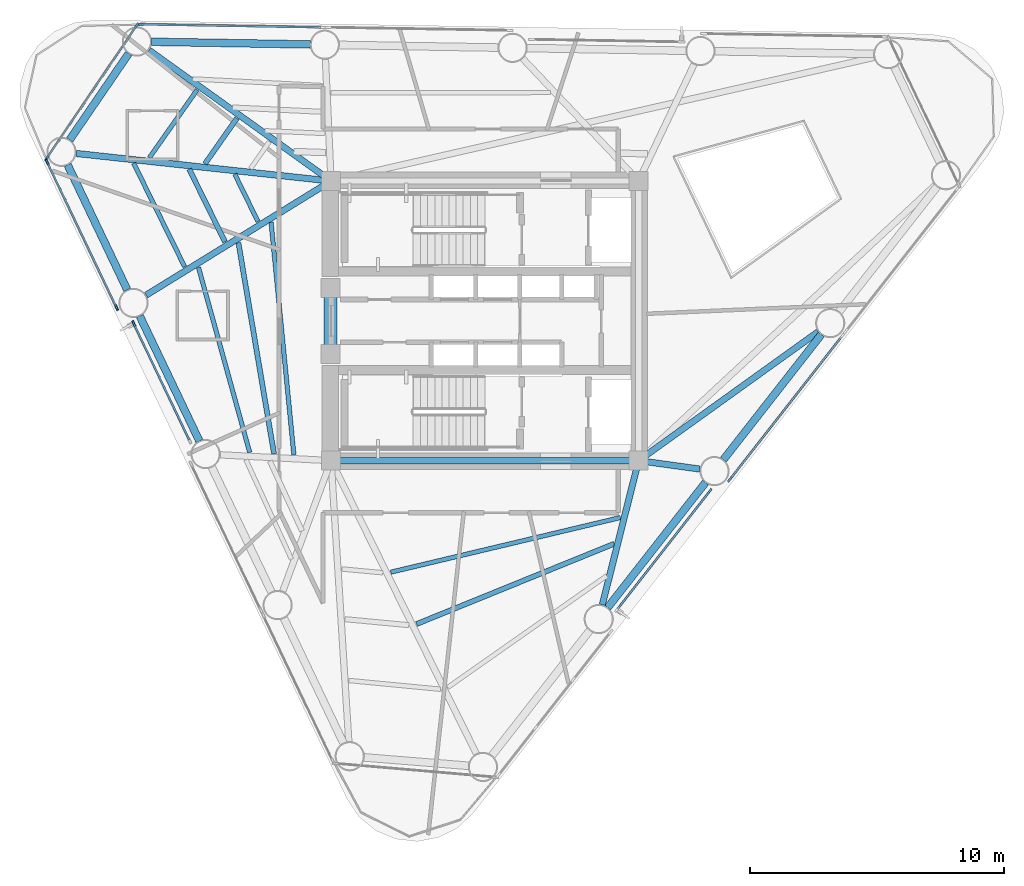
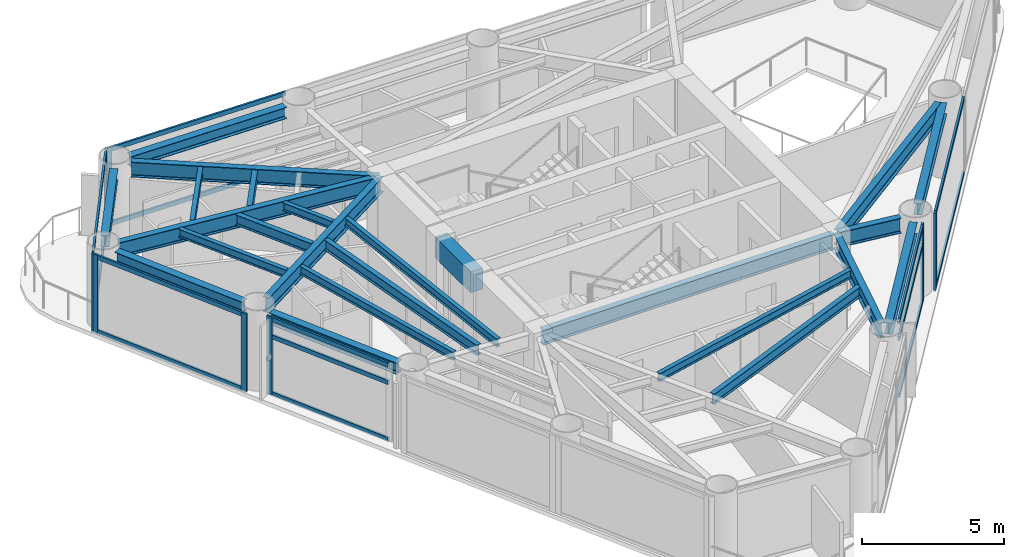
# One storey, part 2 of 9: 24 beams, 22 members, 6 elements without a shape of their own.
"""IFC4 building model written with IfcOpenShell, lengths in metres."""

from ifc_helpers import new_model, si_unit, direction, frame, origin, origin_2d, place, context, subcontext, project, spatial, rectangle, i_section, extrude, source, transform, mapped, material, layer, layer_set, material_profile, profile_set, type_object, element, aggregate, save


model = new_model("IFC4")

# Units and contexts
model_context = context("Model", 3, precision=1e-05, world=origin(), true_north=direction((0.0, 1.0)))
body_context = subcontext(model_context, "Body", "Model", "MODEL_VIEW")
ifc_project = project(units=[si_unit("LENGTHUNIT", "METRE"), si_unit("AREAUNIT", "SQUARE_METRE"), si_unit("VOLUMEUNIT", "CUBIC_METRE"), si_unit("PLANEANGLEUNIT", "RADIAN"), si_unit("MASSUNIT", "GRAM", prefix="KILO")], contexts=[model_context])

# Site, building, storey
site_placement = place(None, origin())
site = spatial("IfcSite", under=ifc_project, at=site_placement, CompositionType="ELEMENT")
building_placement = place(site_placement, origin())
building = spatial("IfcBuilding", under=site, at=building_placement, Name="Yunling Apex Tower", CompositionType="ELEMENT")
storey_placement = place(building_placement, frame((0.0, 0.0, 205.25)))
storey = spatial("IfcBuildingStorey", under=building, at=storey_placement, Name="L50", CompositionType="ELEMENT", Elevation=205.25)

# Beams
ifc_material_1 = material(Name="Concrete C50", Category="concrete")
ifc_material_profile_1 = material_profile(ifc_material_1, rectangle(XDim=0.5, YDim=0.89990234375, at=origin_2d()))
ifc_profile_set_1 = profile_set([ifc_material_profile_1], Name="Concrete C50")
beam_type_1 = type_object("IfcBeamType", Name="BC-CPL-2", PredefinedType="BEAM", material=ifc_profile_set_1)
shared_shape_1 = source(origin(), body_context, "Body", "SweptSolid", [
    extrude(rectangle(XDim=0.5, YDim=0.89990234375, at=origin_2d()), origin(), (0.0, 0.0, 1.0), 2.5),
])
beam_1_placement = place(storey_placement, frame((-6.074951171875, -1.25, 2.820068359375), z_axis=(0.0, 1.0, 0.0), x_axis=(-1.0, 0.0, 0.0)))
element("IfcBeam", 1, at=beam_1_placement, inside=storey, type_object=beam_type_1, Name="L50 Core West Portal Coupling Beam", PredefinedType="BEAM", context=body_context, shape_type="MappedRepresentation", body=[
    mapped(shared_shape_1, transform((0.0, 0.0, 0.0), scale=1.0)),
])
ifc_material_2 = material(Name="Steel Q355B", Category="steel")
ifc_material_profile_2 = material_profile(ifc_material_2, i_section(OverallWidth=0.25, OverallDepth=0.64990234375, WebThickness=0.011962890625, FlangeThickness=0.02001953125, FilletRadius=0.02392578125, at=origin_2d()))
ifc_profile_set_2 = profile_set([ifc_material_profile_2], Name="Steel Q355B")
beam_type_2 = type_object("IfcBeamType", Name="BG-PRI-4", PredefinedType="USERDEFINED", material=ifc_profile_set_2)
shared_shape_2 = source(origin(), body_context, "Body", "SweptSolid", [
    extrude(i_section(OverallWidth=0.25, OverallDepth=0.64990234375, WebThickness=0.011962890625, FlangeThickness=0.02001953125, FilletRadius=0.02392578125, at=origin_2d()), origin(), (0.0, 0.0, 1.0), 11.7998046875),
])
beam_2_placement = place(storey_placement, frame((-5.89990234375, -5.5, 2.945068359375), z_axis=(1.0, 0.0, 0.0), x_axis=(0.0, 1.0, 0.0)))
element("IfcBeam", 2, at=beam_2_placement, inside=storey, type_object=beam_type_2, Name="L50 Core Ring Tie Beam 1", ObjectType="GIRDER", PredefinedType="USERDEFINED", context=body_context, shape_type="MappedRepresentation", body=[
    mapped(shared_shape_2, transform((0.0, 0.0, 0.0), scale=1.0)),
])
ifc_material_profile_3 = material_profile(ifc_material_2, i_section(OverallWidth=0.300048828125, OverallDepth=0.489990234375, WebThickness=0.010986328125, FlangeThickness=0.01806640625, FilletRadius=0.02197265625, at=origin_2d()))
ifc_profile_set_3 = profile_set([ifc_material_profile_3], Name="Steel Q355B")
beam_type_3 = type_object("IfcBeamType", Name="BP-SPN-2", PredefinedType="SPANDREL", material=ifc_profile_set_3)
shared_shape_3 = source(origin(), body_context, "Body", "SweptSolid", [
    extrude(i_section(OverallWidth=0.300048828125, OverallDepth=0.489990234375, WebThickness=0.010986328125, FlangeThickness=0.01806640625, FilletRadius=0.02197265625, at=origin_2d()), origin(), (0.0, 0.0, 1.0), 6.253173828125),
])
for number, where, z_axis, x_axis, name in (
    (3, (4.831298828125, -11.2841796875, 3.02490234375), (0.61621666878, 0.787576673803, 0.0), (-0.787576673803, 0.61621666878, 0.0), "L50 Perimeter Spandrel Beam 2"),
    (4, (9.3857421875, -5.463134765625, 3.02490234375), (0.61621666878, 0.787576673803, 0.0), (-0.787576673803, 0.61621666878, 0.0), "L50 Perimeter Spandrel Beam 3"),
    (5, (-6.86669921875, 10.875, 3.02490234375), (-0.999859061432, 0.016788605428, 0.0), (-0.016788605428, -0.999859061432, 0.0), "L50 Perimeter Spandrel Beam 9"),
):
    element("IfcBeam", number, at=place(storey_placement, frame(where, z_axis=z_axis, x_axis=x_axis)), inside=storey, type_object=beam_type_3, Name=name, PredefinedType="SPANDREL", context=body_context, shape_type="MappedRepresentation", body=[
        mapped(shared_shape_3, transform((0.0, 0.0, 0.0), scale=1.0)),
    ])
shared_shape_4 = source(origin(), body_context, "Body", "SweptSolid", [
    extrude(i_section(OverallWidth=0.300048828125, OverallDepth=0.489990234375, WebThickness=0.010986328125, FlangeThickness=0.01806640625, FilletRadius=0.02197265625, at=origin_2d()), origin(), (0.0, 0.0, 1.0), 4.121337890625),
])
beam_3_placement = place(storey_placement, frame((-14.009033203125, 10.519775390625, 3.02490234375), z_axis=(-0.564775228093, -0.825244776858, 0.0), x_axis=(0.825244776858, -0.564775228093, 0.0)))
element("IfcBeam", 6, at=beam_3_placement, inside=storey, type_object=beam_type_3, Name="L50 Perimeter Spandrel Beam 10", PredefinedType="SPANDREL", context=body_context, shape_type="MappedRepresentation", body=[
    mapped(shared_shape_4, transform((0.0, 0.0, 0.0), scale=1.0)),
])
shared_shape_5 = source(origin(), body_context, "Body", "SweptSolid", [
    extrude(i_section(OverallWidth=0.300048828125, OverallDepth=0.489990234375, WebThickness=0.010986328125, FlangeThickness=0.01806640625, FilletRadius=0.02197265625, at=origin_2d()), origin(), (0.0, 0.0, 1.0), 5.4482421875),
])
for number, where, z_axis, x_axis, name in (
    (7, (-16.4130859375, 6.135498046875, 3.02490234375), (0.430538797564, -0.902572071246, 0.0), (0.902572071246, 0.430538797564, 0.0), "L50 Perimeter Spandrel Beam 11"),
    (8, (-13.577392578125, 0.190673828125, 3.02490234375), (0.430502292287, -0.902589483839, 0.0), (0.902589483839, 0.430502292287, 0.0), "L50 Perimeter Spandrel Beam 12"),
):
    element("IfcBeam", number, at=place(storey_placement, frame(where, z_axis=z_axis, x_axis=x_axis)), inside=storey, type_object=beam_type_3, Name=name, PredefinedType="SPANDREL", context=body_context, shape_type="MappedRepresentation", body=[
        mapped(shared_shape_5, transform((0.0, 0.0, 0.0), scale=1.0)),
    ])
shared_shape_6 = source(origin(), body_context, "Body", "SweptSolid", [
    extrude(i_section(OverallWidth=0.25, OverallDepth=0.64990234375, WebThickness=0.011962890625, FlangeThickness=0.02001953125, FilletRadius=0.02392578125, at=origin_2d()), origin(), (0.0, 0.0, 1.0), 5.763427734375),
])
beam_4_placement = place(storey_placement, frame((4.623291015625, -11.166748046875, 2.945068359375), z_axis=(0.244159894622, 0.969734987436, 0.0), x_axis=(-0.969734987436, 0.244159894622, 0.0)))
element("IfcBeam", 9, at=beam_4_placement, inside=storey, type_object=beam_type_2, Name="L50 Radial Primary Girder R02", ObjectType="GIRDER", PredefinedType="USERDEFINED", context=body_context, shape_type="MappedRepresentation", body=[
    mapped(shared_shape_6, transform((0.0, 0.0, 0.0), scale=1.0)),
])
shared_shape_7 = source(origin(), body_context, "Body", "SweptSolid", [
    extrude(i_section(OverallWidth=0.25, OverallDepth=0.64990234375, WebThickness=0.011962890625, FlangeThickness=0.02001953125, FilletRadius=0.02392578125, at=origin_2d()), origin(), (0.0, 0.0, 1.0), 2.35009765625),
])
beam_5_placement = place(storey_placement, frame((8.45751953125, -5.831787109375, 2.945068359375), z_axis=(-0.990639545436, 0.136503813203, 0.0), x_axis=(-0.136503813203, -0.990639545436, 0.0)))
element("IfcBeam", 10, at=beam_5_placement, inside=storey, type_object=beam_type_2, Name="L50 Radial Primary Girder R03", ObjectType="GIRDER", PredefinedType="USERDEFINED", context=body_context, shape_type="MappedRepresentation", body=[
    mapped(shared_shape_7, transform((0.0, 0.0, 0.0), scale=1.0)),
])
shared_shape_8 = source(origin(), body_context, "Body", "SweptSolid", [
    extrude(i_section(OverallWidth=0.25, OverallDepth=0.64990234375, WebThickness=0.011962890625, FlangeThickness=0.02001953125, FilletRadius=0.02392578125, at=origin_2d()), origin(), (0.0, 0.0, 1.0), 8.616455078125),
])
beam_6_placement = place(storey_placement, frame((13.11572265625, -0.43017578125, 2.945068359375), z_axis=(-0.812487192657, -0.58297904059, 0.0), x_axis=(0.58297904059, -0.812487192657, 0.0)))
element("IfcBeam", 11, at=beam_6_placement, inside=storey, type_object=beam_type_2, Name="L50 Radial Primary Girder R04", ObjectType="GIRDER", PredefinedType="USERDEFINED", context=body_context, shape_type="MappedRepresentation", body=[
    mapped(shared_shape_8, transform((0.0, 0.0, 0.0), scale=1.0)),
])
shared_shape_9 = source(origin(), body_context, "Body", "SweptSolid", [
    extrude(i_section(OverallWidth=0.25, OverallDepth=0.64990234375, WebThickness=0.011962890625, FlangeThickness=0.02001953125, FilletRadius=0.02392578125, at=origin_2d()), origin(), (0.0, 0.0, 1.0), 8.742919921875),
])
beam_7_placement = place(storey_placement, frame((-13.21435546875, 10.649169921875, 2.945068359375), z_axis=(0.812022401907, -0.583626266373, 0.0), x_axis=(0.583626266373, 0.812022401907, 0.0)))
element("IfcBeam", 12, at=beam_7_placement, inside=storey, type_object=beam_type_2, Name="L50 Radial Primary Girder R10", ObjectType="GIRDER", PredefinedType="USERDEFINED", context=body_context, shape_type="MappedRepresentation", body=[
    mapped(shared_shape_9, transform((0.0, 0.0, 0.0), scale=1.0)),
])
shared_shape_10 = source(origin(), body_context, "Body", "SweptSolid", [
    extrude(i_section(OverallWidth=0.25, OverallDepth=0.64990234375, WebThickness=0.011962890625, FlangeThickness=0.02001953125, FilletRadius=0.02392578125, at=origin_2d()), origin(), (0.0, 0.0, 1.0), 10.007080078125),
])
beam_8_placement = place(storey_placement, frame((-16.078369140625, 6.586181640625, 2.945068359375), z_axis=(0.994184902243, -0.107686490111, 0.0), x_axis=(0.107686490111, 0.994184902243, 0.0)))
element("IfcBeam", 13, at=beam_8_placement, inside=storey, type_object=beam_type_2, Name="L50 Radial Primary Girder R11", ObjectType="GIRDER", PredefinedType="USERDEFINED", context=body_context, shape_type="MappedRepresentation", body=[
    mapped(shared_shape_10, transform((0.0, 0.0, 0.0), scale=1.0)),
])
shared_shape_11 = source(origin(), body_context, "Body", "SweptSolid", [
    extrude(i_section(OverallWidth=0.25, OverallDepth=0.64990234375, WebThickness=0.011962890625, FlangeThickness=0.02001953125, FilletRadius=0.02392578125, at=origin_2d()), origin(), (0.0, 0.0, 1.0), 8.4697265625),
])
beam_9_placement = place(storey_placement, frame((-13.326171875, 1.010498046875, 2.945068359375), z_axis=(0.851035190572, 0.525108659621, 0.0), x_axis=(-0.525108659621, 0.851035190572, 0.0)))
element("IfcBeam", 14, at=beam_9_placement, inside=storey, type_object=beam_type_2, Name="L50 Radial Primary Girder R12", ObjectType="GIRDER", PredefinedType="USERDEFINED", context=body_context, shape_type="MappedRepresentation", body=[
    mapped(shared_shape_11, transform((0.0, 0.0, 0.0), scale=1.0)),
])
ifc_material_profile_4 = material_profile(ifc_material_2, i_section(OverallWidth=0.199951171875, OverallDepth=0.449951171875, WebThickness=0.009033203125, FlangeThickness=0.013916015625, FilletRadius=0.01806640625, at=origin_2d()))
ifc_profile_set_4 = profile_set([ifc_material_profile_4], Name="Steel Q355B")
beam_type_4 = type_object("IfcBeamType", Name="BS-SEC-3", PredefinedType="BEAM", material=ifc_profile_set_4)
shared_shape_12 = source(origin(), body_context, "Body", "SweptSolid", [
    extrude(i_section(OverallWidth=0.199951171875, OverallDepth=0.449951171875, WebThickness=0.009033203125, FlangeThickness=0.013916015625, FilletRadius=0.01806640625, at=origin_2d()), origin(), (0.0, 0.0, 1.0), 8.396240234375),
])
beam_10_placement = place(storey_placement, frame((-2.684326171875, -11.9287109375, 3.044921875), z_axis=(0.926431402479, 0.376463619092, 0.0), x_axis=(-0.376463619092, 0.926431402479, 0.0)))
element("IfcBeam", 15, at=beam_10_placement, inside=storey, type_object=beam_type_4, Name="L50 Composite Floor Beam BS-1", PredefinedType="BEAM", context=body_context, shape_type="MappedRepresentation", body=[
    mapped(shared_shape_12, transform((0.0, 0.0, 0.0), scale=1.0)),
])
ifc_material_profile_5 = material_profile(ifc_material_2, i_section(OverallWidth=0.175048828125, OverallDepth=0.35009765625, WebThickness=0.007080078125, FlangeThickness=0.010986328125, FilletRadius=0.013916015625, at=origin_2d()))
ifc_profile_set_5 = profile_set([ifc_material_profile_5], Name="Steel Q355B")
beam_type_5 = type_object("IfcBeamType", Name="BJ-JST-1", PredefinedType="JOIST", material=ifc_profile_set_5)
shared_shape_13 = source(origin(), body_context, "Body", "SweptSolid", [
    extrude(i_section(OverallWidth=0.175048828125, OverallDepth=0.35009765625, WebThickness=0.007080078125, FlangeThickness=0.010986328125, FilletRadius=0.013916015625, at=origin_2d()), origin(), (0.0, 0.0, 1.0), 9.2919921875),
])
beam_11_placement = place(storey_placement, frame((-3.69970703125, -9.88916015625, 3.094970703125), z_axis=(0.972847358166, 0.231447656523, 0.0), x_axis=(-0.231447656523, 0.972847358166, 0.0)))
element("IfcBeam", 16, at=beam_11_placement, inside=storey, type_object=beam_type_5, Name="L50 Composite Floor Joist BJ3-1", PredefinedType="JOIST", context=body_context, shape_type="MappedRepresentation", body=[
    mapped(shared_shape_13, transform((0.0, 0.0, 0.0), scale=1.0)),
])
shared_shape_14 = source(origin(), body_context, "Body", "SweptSolid", [
    extrude(i_section(OverallWidth=0.199951171875, OverallDepth=0.449951171875, WebThickness=0.009033203125, FlangeThickness=0.013916015625, FilletRadius=0.01806640625, at=origin_2d()), origin(), (0.0, 0.0, 1.0), 2.18505859375),
])
beam_12_placement = place(storey_placement, frame((-9.756591796875, 7.966796875, 3.044921875), z_axis=(-0.57454920808, -0.818470040682, 0.0), x_axis=(0.818470040682, -0.57454920808, 0.0)))
element("IfcBeam", 17, at=beam_12_placement, inside=storey, type_object=beam_type_4, Name="L50 Composite Floor Beam BS-10", PredefinedType="BEAM", context=body_context, shape_type="MappedRepresentation", body=[
    mapped(shared_shape_14, transform((0.0, 0.0, 0.0), scale=1.0)),
])
shared_shape_15 = source(origin(), body_context, "Body", "SweptSolid", [
    extrude(i_section(OverallWidth=0.175048828125, OverallDepth=0.35009765625, WebThickness=0.007080078125, FlangeThickness=0.010986328125, FilletRadius=0.013916015625, at=origin_2d()), origin(), (0.0, 0.0, 1.0), 3.270263671875),
])
beam_13_placement = place(storey_placement, frame((-11.318603515625, 9.089599609375, 3.094970703125), z_axis=(-0.575524843555, -0.817784295797, 0.0), x_axis=(0.817784295797, -0.575524843555, 0.0)))
element("IfcBeam", 18, at=beam_13_placement, inside=storey, type_object=beam_type_5, Name="L50 Composite Floor Joist BJ1-10", PredefinedType="JOIST", context=body_context, shape_type="MappedRepresentation", body=[
    mapped(shared_shape_15, transform((0.0, 0.0, 0.0), scale=1.0)),
])
shared_shape_16 = source(origin(), body_context, "Body", "SweptSolid", [
    extrude(i_section(OverallWidth=0.199951171875, OverallDepth=0.449951171875, WebThickness=0.009033203125, FlangeThickness=0.013916015625, FilletRadius=0.01806640625, at=origin_2d()), origin(), (0.0, 0.0, 1.0), 3.1845703125),
])
beam_14_placement = place(storey_placement, frame((-11.63037109375, 5.968505859375, 3.044921875), z_axis=(0.441285246196, -0.897366887895, 0.0), x_axis=(0.897366887895, 0.441285246196, 0.0)))
element("IfcBeam", 19, at=beam_14_placement, inside=storey, type_object=beam_type_4, Name="L50 Composite Floor Beam BS-11", PredefinedType="BEAM", context=body_context, shape_type="MappedRepresentation", body=[
    mapped(shared_shape_16, transform((0.0, 0.0, 0.0), scale=1.0)),
])
shared_shape_17 = source(origin(), body_context, "Body", "SweptSolid", [
    extrude(i_section(OverallWidth=0.175048828125, OverallDepth=0.35009765625, WebThickness=0.007080078125, FlangeThickness=0.010986328125, FilletRadius=0.013916015625, at=origin_2d()), origin(), (0.0, 0.0, 1.0), 4.541259765625),
])
beam_15_placement = place(storey_placement, frame((-13.81884765625, 6.205810546875, 3.094970703125), z_axis=(0.442066776363, -0.896982143209, 0.0), x_axis=(0.896982143209, 0.442066776363, 0.0)))
element("IfcBeam", 20, at=beam_15_placement, inside=storey, type_object=beam_type_5, Name="L50 Composite Floor Joist BJ1-11", PredefinedType="JOIST", context=body_context, shape_type="MappedRepresentation", body=[
    mapped(shared_shape_17, transform((0.0, 0.0, 0.0), scale=1.0)),
])
shared_shape_18 = source(origin(), body_context, "Body", "SweptSolid", [
    extrude(i_section(OverallWidth=0.175048828125, OverallDepth=0.35009765625, WebThickness=0.007080078125, FlangeThickness=0.010986328125, FilletRadius=0.013916015625, at=origin_2d()), origin(), (0.0, 0.0, 1.0), 2.07421875),
])
beam_16_placement = place(storey_placement, frame((-9.839599609375, 5.7744140625, 3.094970703125), z_axis=(0.439758949759, -0.898115842254, 0.0), x_axis=(0.898115842254, 0.439758949759, 0.0)))
element("IfcBeam", 21, at=beam_16_placement, inside=storey, type_object=beam_type_5, Name="L50 Composite Floor Joist BJ3-11", PredefinedType="JOIST", context=body_context, shape_type="MappedRepresentation", body=[
    mapped(shared_shape_18, transform((0.0, 0.0, 0.0), scale=1.0)),
])
shared_shape_19 = source(origin(), body_context, "Body", "SweptSolid", [
    extrude(i_section(OverallWidth=0.199951171875, OverallDepth=0.449951171875, WebThickness=0.009033203125, FlangeThickness=0.013916015625, FilletRadius=0.01806640625, at=origin_2d()), origin(), (0.0, 0.0, 1.0), 8.41943359375),
])
beam_17_placement = place(storey_placement, frame((-9.695556640625, 3.076416015625, 3.044921875), z_axis=(0.16647230798, -0.986046130095, 0.0), x_axis=(0.986046130095, 0.16647230798, 0.0)))
element("IfcBeam", 22, at=beam_17_placement, inside=storey, type_object=beam_type_4, Name="L50 Composite Floor Beam BS-12", PredefinedType="BEAM", context=body_context, shape_type="MappedRepresentation", body=[
    mapped(shared_shape_19, transform((0.0, 0.0, 0.0), scale=1.0)),
])
shared_shape_20 = source(origin(), body_context, "Body", "SweptSolid", [
    extrude(i_section(OverallWidth=0.175048828125, OverallDepth=0.35009765625, WebThickness=0.007080078125, FlangeThickness=0.010986328125, FilletRadius=0.013916015625, at=origin_2d()), origin(), (0.0, 0.0, 1.0), 7.554931640625),
])
beam_18_placement = place(storey_placement, frame((-11.265380859375, 2.1015625, 3.094970703125), z_axis=(0.266700380195, -0.963779490965, 0.0), x_axis=(0.963779490965, 0.266700380195, 0.0)))
element("IfcBeam", 23, at=beam_18_placement, inside=storey, type_object=beam_type_5, Name="L50 Composite Floor Joist BJ1-12", PredefinedType="JOIST", context=body_context, shape_type="MappedRepresentation", body=[
    mapped(shared_shape_20, transform((0.0, 0.0, 0.0), scale=1.0)),
])
shared_shape_21 = source(origin(), body_context, "Body", "SweptSolid", [
    extrude(i_section(OverallWidth=0.175048828125, OverallDepth=0.35009765625, WebThickness=0.007080078125, FlangeThickness=0.010986328125, FilletRadius=0.013916015625, at=origin_2d()), origin(), (0.0, 0.0, 1.0), 9.183837890625),
])
beam_19_placement = place(storey_placement, frame((-8.4091796875, 3.87548828125, 3.094970703125), z_axis=(0.097534767925, -0.995232118174, 0.0), x_axis=(0.995232118174, 0.097534767925, 0.0)))
element("IfcBeam", 24, at=beam_19_placement, inside=storey, type_object=beam_type_5, Name="L50 Composite Floor Joist BJ3-12", PredefinedType="JOIST", context=body_context, shape_type="MappedRepresentation", body=[
    mapped(shared_shape_21, transform((0.0, 0.0, 0.0), scale=1.0)),
])

# Curtain wall, member
ifc_material_3 = material(Name="Bronze anodised aluminium", Category="aluminium")
ifc_layer = layer(ifc_material_3, 0.239990234375)
ifc_layer_set = layer_set([ifc_layer], Name="Bronze anodised aluminium")
curtain_wall_type = type_object("IfcCurtainWallType", Name="CW-SYS-3", PredefinedType="NOTDEFINED", material=ifc_layer_set)
curtain_wall_1_placement = place(storey_placement, origin())
curtain_wall_1 = element("IfcCurtainWall", 25, at=curtain_wall_1_placement, inside=storey, type_object=curtain_wall_type, Name="CW-L50-F1-B2", PredefinedType="NOTDEFINED")
ifc_material_profile_6 = material_profile(ifc_material_3, rectangle(XDim=0.080078125, YDim=0.239990234375, at=origin_2d()))
ifc_profile_set_6 = profile_set([ifc_material_profile_6], Name="Bronze anodised aluminium")
member_type_1 = type_object("IfcMemberType", Name="CW-MUL-3", PredefinedType="MULLION", material=ifc_profile_set_6)
shared_shape_22 = source(origin(), body_context, "Body", "SweptSolid", [
    extrude(rectangle(XDim=0.080078125, YDim=0.239990234375, at=origin_2d()), origin(), (0.0, 0.0, 1.0), 3.3701171875),
])
member_1_placement = place(storey_placement, frame((8.846923828125, -6.70361328125, -0.050048828125), z_axis=(0.0, 0.0, 1.0), x_axis=(-0.787576499109, 0.616216892053, 0.0)))
member_1 = element("IfcMember", 26, at=member_1_placement, type_object=member_type_1, Name="CW-SYS-3 mullion 2", PredefinedType="MULLION", context=body_context, shape_type="MappedRepresentation", body=[
    mapped(shared_shape_22, transform((0.0, 0.0, 0.0), scale=1.0)),
])

curtain_wall_2_placement = place(storey_placement, origin())
curtain_wall_2 = element("IfcCurtainWall", 27, at=curtain_wall_2_placement, inside=storey, type_object=curtain_wall_type, Name="CW-L50-F1-B3", PredefinedType="NOTDEFINED")
member_2_placement = place(storey_placement, frame((9.64453125, -6.23583984375, -0.050048828125), z_axis=(0.0, 0.0, 1.0), x_axis=(-0.787589332433, 0.616200489644, 0.0)))
member_2 = element("IfcMember", 28, at=member_2_placement, type_object=member_type_1, Name="CW-SYS-3 mullion 1", PredefinedType="MULLION", context=body_context, shape_type="MappedRepresentation", body=[
    mapped(shared_shape_22, transform((0.0, 0.0, 0.0), scale=1.0)),
])

curtain_wall_3_placement = place(storey_placement, origin())
curtain_wall_3 = element("IfcCurtainWall", 29, at=curtain_wall_3_placement, inside=storey, type_object=curtain_wall_type, Name="CW-L50-F2-B4", PredefinedType="NOTDEFINED")
member_3_placement = place(storey_placement, frame((-13.556396484375, 11.667236328125, -0.050048828125), z_axis=(0.0, 0.0, 1.0), x_axis=(-0.016761362354, -0.999859518498, 0.0)))
member_3 = element("IfcMember", 30, at=member_3_placement, type_object=member_type_1, Name="CW-SYS-3 mullion 2", PredefinedType="MULLION", context=body_context, shape_type="MappedRepresentation", body=[
    mapped(shared_shape_22, transform((0.0, 0.0, 0.0), scale=1.0)),
])

# Curtain wall, members
curtain_wall_4_placement = place(storey_placement, origin())
curtain_wall_4 = element("IfcCurtainWall", 31, at=curtain_wall_4_placement, inside=storey, type_object=curtain_wall_type, Name="CW-L50-CRN2", PredefinedType="NOTDEFINED")
member_4_placement = place(storey_placement, frame((-13.698974609375, 11.6162109375, -0.050048828125), z_axis=(0.0, 0.0, 1.0), x_axis=(0.828106898006, -0.56057021458, 0.0)))
member_4 = element("IfcMember", 32, at=member_4_placement, type_object=member_type_1, Name="CW-SYS-3 mullion 1", PredefinedType="MULLION", context=body_context, shape_type="MappedRepresentation", body=[
    mapped(shared_shape_22, transform((0.0, 0.0, 0.0), scale=1.0)),
])
member_5_placement = place(storey_placement, frame((-17.231201171875, 6.398193359375, -0.050048828125), z_axis=(0.0, 0.0, 1.0), x_axis=(0.828106898006, -0.56057021458, 0.0)))
member_5 = element("IfcMember", 33, at=member_5_placement, type_object=member_type_1, Name="CW-SYS-3 mullion 2", PredefinedType="MULLION", context=body_context, shape_type="MappedRepresentation", body=[
    mapped(shared_shape_22, transform((0.0, 0.0, 0.0), scale=1.0)),
])

curtain_wall_5_placement = place(storey_placement, origin())
curtain_wall_5 = element("IfcCurtainWall", 34, at=curtain_wall_5_placement, inside=storey, type_object=curtain_wall_type, Name="CW-L50-F3-B1", PredefinedType="NOTDEFINED")
member_6_placement = place(storey_placement, frame((-17.219970703125, 6.248046875, -0.050048828125), z_axis=(0.0, 0.0, 1.0), x_axis=(0.902582193367, 0.430517577128, 0.0)))
member_6 = element("IfcMember", 35, at=member_6_placement, type_object=member_type_1, Name="CW-SYS-3 mullion 1", PredefinedType="MULLION", context=body_context, shape_type="MappedRepresentation", body=[
    mapped(shared_shape_22, transform((0.0, 0.0, 0.0), scale=1.0)),
])
member_7_placement = place(storey_placement, frame((-14.48779296875, 0.52001953125, -0.050048828125), z_axis=(0.0, 0.0, 1.0), x_axis=(0.902582193367, 0.430517577128, 0.0)))
member_7 = element("IfcMember", 36, at=member_7_placement, type_object=member_type_1, Name="CW-SYS-3 mullion 2", PredefinedType="MULLION", context=body_context, shape_type="MappedRepresentation", body=[
    mapped(shared_shape_22, transform((0.0, 0.0, 0.0), scale=1.0)),
])

# Curtain wall, member
curtain_wall_6_placement = place(storey_placement, origin())
curtain_wall_6 = element("IfcCurtainWall", 37, at=curtain_wall_6_placement, inside=storey, type_object=curtain_wall_type, Name="CW-L50-F3-B2", PredefinedType="NOTDEFINED")
member_8_placement = place(storey_placement, frame((-13.810791015625, -0.110107421875, -0.050048828125), z_axis=(0.0, 0.0, 1.0), x_axis=(0.902583049107, 0.430515783062, 0.0)))
member_8 = element("IfcMember", 38, at=member_8_placement, type_object=member_type_1, Name="CW-SYS-3 mullion 1", PredefinedType="MULLION", context=body_context, shape_type="MappedRepresentation", body=[
    mapped(shared_shape_22, transform((0.0, 0.0, 0.0), scale=1.0)),
])

# Member
ifc_material_profile_7 = material_profile(ifc_material_3, rectangle(XDim=0.080078125, YDim=0.18505859375, at=origin_2d()))
ifc_profile_set_7 = profile_set([ifc_material_profile_7], Name="Bronze anodised aluminium")
member_type_2 = type_object("IfcMemberType", Name="CW-TRN-3", PredefinedType="USERDEFINED", material=ifc_profile_set_7)
shared_shape_23 = source(origin(), body_context, "Body", "SweptSolid", [
    extrude(rectangle(XDim=0.080078125, YDim=0.18505859375, at=origin_2d()), origin(), (0.0, 0.0, 1.0), 5.8388671875),
])
member_9_placement = place(storey_placement, frame((5.226806640625, -11.33056640625, 0.0400390625), z_axis=(0.616198894741, 0.787590580264, 0.0), x_axis=(-0.787590580264, 0.616198894741, 0.0)))
member_9 = element("IfcMember", 39, at=member_9_placement, type_object=member_type_2, Name="CW-SYS-3 transom 1.1", ObjectType="TRANSOM", PredefinedType="USERDEFINED", context=body_context, shape_type="MappedRepresentation", body=[
    mapped(shared_shape_23, transform((0.0, 0.0, 0.0), scale=1.0)),
])

member_10_placement = place(storey_placement, frame((5.226806640625, -11.33056640625, 2.485107421875), z_axis=(0.616198894741, 0.787590580264, 0.0), x_axis=(-0.787590580264, 0.616198894741, 0.0)))
member_10 = element("IfcMember", 40, at=member_10_placement, type_object=member_type_2, Name="CW-SYS-3 transom 1.2", ObjectType="TRANSOM", PredefinedType="USERDEFINED", context=body_context, shape_type="MappedRepresentation", body=[
    mapped(shared_shape_23, transform((0.0, 0.0, 0.0), scale=1.0)),
])

member_11_placement = place(storey_placement, frame((5.226806640625, -11.33056640625, 3.22998046875), z_axis=(0.616198894741, 0.787590580264, 0.0), x_axis=(-0.787590580264, 0.616198894741, 0.0)))
member_11 = element("IfcMember", 41, at=member_11_placement, type_object=member_type_2, Name="CW-SYS-3 transom 1.3", ObjectType="TRANSOM", PredefinedType="USERDEFINED", context=body_context, shape_type="MappedRepresentation", body=[
    mapped(shared_shape_23, transform((0.0, 0.0, 0.0), scale=1.0)),
])

aggregate(curtain_wall_1, [member_1, member_9, member_10, member_11])

shared_shape_24 = source(origin(), body_context, "Body", "SweptSolid", [
    extrude(rectangle(XDim=0.080078125, YDim=0.18505859375, at=origin_2d()), origin(), (0.0, 0.0, 1.0), 7.0791015625),
])
member_12_placement = place(storey_placement, frame((9.666748046875, -6.20751953125, 0.0400390625), z_axis=(0.616192015574, 0.78759596237, 0.0), x_axis=(-0.78759596237, 0.616192015574, 0.0)))
member_12 = element("IfcMember", 42, at=member_12_placement, type_object=member_type_2, Name="CW-SYS-3 transom 1.1", ObjectType="TRANSOM", PredefinedType="USERDEFINED", context=body_context, shape_type="MappedRepresentation", body=[
    mapped(shared_shape_24, transform((0.0, 0.0, 0.0), scale=1.0)),
])

member_13_placement = place(storey_placement, frame((9.666748046875, -6.20751953125, 3.22998046875), z_axis=(0.616192015574, 0.78759596237, 0.0), x_axis=(-0.78759596237, 0.616192015574, 0.0)))
member_13 = element("IfcMember", 43, at=member_13_placement, type_object=member_type_2, Name="CW-SYS-3 transom 1.2", ObjectType="TRANSOM", PredefinedType="USERDEFINED", context=body_context, shape_type="MappedRepresentation", body=[
    mapped(shared_shape_24, transform((0.0, 0.0, 0.0), scale=1.0)),
])

aggregate(curtain_wall_2, [member_2, member_12, member_13])

shared_shape_25 = source(origin(), body_context, "Body", "SweptSolid", [
    extrude(rectangle(XDim=0.080078125, YDim=0.18505859375, at=origin_2d()), origin(), (0.0, 0.0, 1.0), 7.078857421875),
])
member_14_placement = place(storey_placement, frame((-6.4423828125, 11.548095703125, 0.0400390625), z_axis=(-0.999859516724, 0.016761468219, 0.0), x_axis=(-0.016761468219, -0.999859516724, 0.0)))
member_14 = element("IfcMember", 44, at=member_14_placement, type_object=member_type_2, Name="CW-SYS-3 transom 1.1", ObjectType="TRANSOM", PredefinedType="USERDEFINED", context=body_context, shape_type="MappedRepresentation", body=[
    mapped(shared_shape_25, transform((0.0, 0.0, 0.0), scale=1.0)),
])

member_15_placement = place(storey_placement, frame((-6.4423828125, 11.548095703125, 3.22998046875), z_axis=(-0.999859516724, 0.016761468219, 0.0), x_axis=(-0.016761468219, -0.999859516724, 0.0)))
member_15 = element("IfcMember", 45, at=member_15_placement, type_object=member_type_2, Name="CW-SYS-3 transom 1.2", ObjectType="TRANSOM", PredefinedType="USERDEFINED", context=body_context, shape_type="MappedRepresentation", body=[
    mapped(shared_shape_25, transform((0.0, 0.0, 0.0), scale=1.0)),
])

aggregate(curtain_wall_3, [member_3, member_14, member_15])

shared_shape_26 = source(origin(), body_context, "Body", "SweptSolid", [
    extrude(rectangle(XDim=0.080078125, YDim=0.18505859375, at=origin_2d()), origin(), (0.0, 0.0, 1.0), 6.229248046875),
])
member_16_placement = place(storey_placement, frame((-13.71923828125, 11.58642578125, 0.0400390625), z_axis=(-0.560574268249, -0.828104153942, 0.0), x_axis=(0.828104153942, -0.560574268249, 0.0)))
member_16 = element("IfcMember", 46, at=member_16_placement, type_object=member_type_2, Name="CW-SYS-3 transom 1.1", ObjectType="TRANSOM", PredefinedType="USERDEFINED", context=body_context, shape_type="MappedRepresentation", body=[
    mapped(shared_shape_26, transform((0.0, 0.0, 0.0), scale=1.0)),
])

member_17_placement = place(storey_placement, frame((-13.71923828125, 11.58642578125, 3.22998046875), z_axis=(-0.560574268249, -0.828104153942, 0.0), x_axis=(0.828104153942, -0.560574268249, 0.0)))
member_17 = element("IfcMember", 47, at=member_17_placement, type_object=member_type_2, Name="CW-SYS-3 transom 1.2", ObjectType="TRANSOM", PredefinedType="USERDEFINED", context=body_context, shape_type="MappedRepresentation", body=[
    mapped(shared_shape_26, transform((0.0, 0.0, 0.0), scale=1.0)),
])

aggregate(curtain_wall_4, [member_4, member_5, member_16, member_17])

shared_shape_27 = source(origin(), body_context, "Body", "SweptSolid", [
    extrude(rectangle(XDim=0.080078125, YDim=0.18505859375, at=origin_2d()), origin(), (0.0, 0.0, 1.0), 6.2744140625),
])
member_18_placement = place(storey_placement, frame((-17.20458984375, 6.215576171875, 0.0400390625), z_axis=(0.430513491492, -0.902584142141, 0.0), x_axis=(0.902584142141, 0.430513491492, 0.0)))
member_18 = element("IfcMember", 48, at=member_18_placement, type_object=member_type_2, Name="CW-SYS-3 transom 1.1", ObjectType="TRANSOM", PredefinedType="USERDEFINED", context=body_context, shape_type="MappedRepresentation", body=[
    mapped(shared_shape_27, transform((0.0, 0.0, 0.0), scale=1.0)),
])

member_19_placement = place(storey_placement, frame((-17.20458984375, 6.215576171875, 3.22998046875), z_axis=(0.430513491492, -0.902584142141, 0.0), x_axis=(0.902584142141, 0.430513491492, 0.0)))
member_19 = element("IfcMember", 49, at=member_19_placement, type_object=member_type_2, Name="CW-SYS-3 transom 1.2", ObjectType="TRANSOM", PredefinedType="USERDEFINED", context=body_context, shape_type="MappedRepresentation", body=[
    mapped(shared_shape_27, transform((0.0, 0.0, 0.0), scale=1.0)),
])

aggregate(curtain_wall_5, [member_6, member_7, member_18, member_19])

shared_shape_28 = source(origin(), body_context, "Body", "SweptSolid", [
    extrude(rectangle(XDim=0.080078125, YDim=0.18505859375, at=origin_2d()), origin(), (0.0, 0.0, 1.0), 5.034423828125),
])
member_20_placement = place(storey_placement, frame((-13.795166015625, -0.142578125, 0.0400390625), z_axis=(0.430492583081, -0.902594114712, 0.0), x_axis=(0.902594114712, 0.430492583081, 0.0)))
member_20 = element("IfcMember", 50, at=member_20_placement, type_object=member_type_2, Name="CW-SYS-3 transom 1.1", ObjectType="TRANSOM", PredefinedType="USERDEFINED", context=body_context, shape_type="MappedRepresentation", body=[
    mapped(shared_shape_28, transform((0.0, 0.0, 0.0), scale=1.0)),
])

member_21_placement = place(storey_placement, frame((-13.795166015625, -0.142578125, 2.485107421875), z_axis=(0.430492583081, -0.902594114712, 0.0), x_axis=(0.902594114712, 0.430492583081, 0.0)))
member_21 = element("IfcMember", 51, at=member_21_placement, type_object=member_type_2, Name="CW-SYS-3 transom 1.2", ObjectType="TRANSOM", PredefinedType="USERDEFINED", context=body_context, shape_type="MappedRepresentation", body=[
    mapped(shared_shape_28, transform((0.0, 0.0, 0.0), scale=1.0)),
])

member_22_placement = place(storey_placement, frame((-13.795166015625, -0.142578125, 3.22998046875), z_axis=(0.430492583081, -0.902594114712, 0.0), x_axis=(0.902594114712, 0.430492583081, 0.0)))
member_22 = element("IfcMember", 52, at=member_22_placement, type_object=member_type_2, Name="CW-SYS-3 transom 1.3", ObjectType="TRANSOM", PredefinedType="USERDEFINED", context=body_context, shape_type="MappedRepresentation", body=[
    mapped(shared_shape_28, transform((0.0, 0.0, 0.0), scale=1.0)),
])

aggregate(curtain_wall_6, [member_8, member_20, member_21, member_22])

save(model, "model.ifc")
